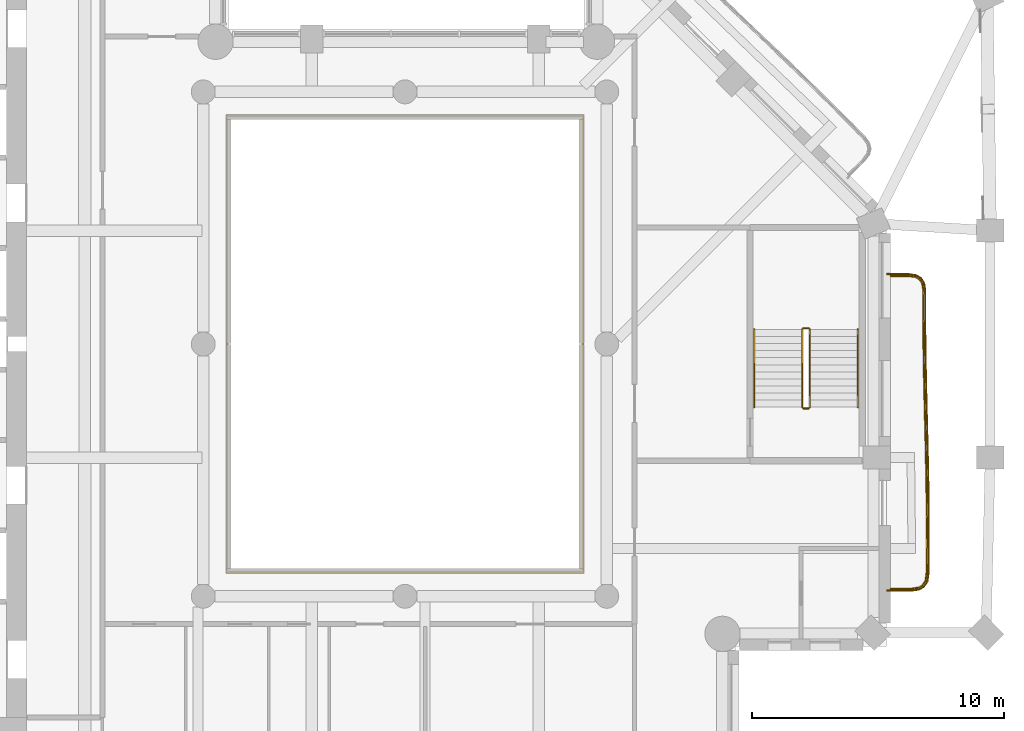
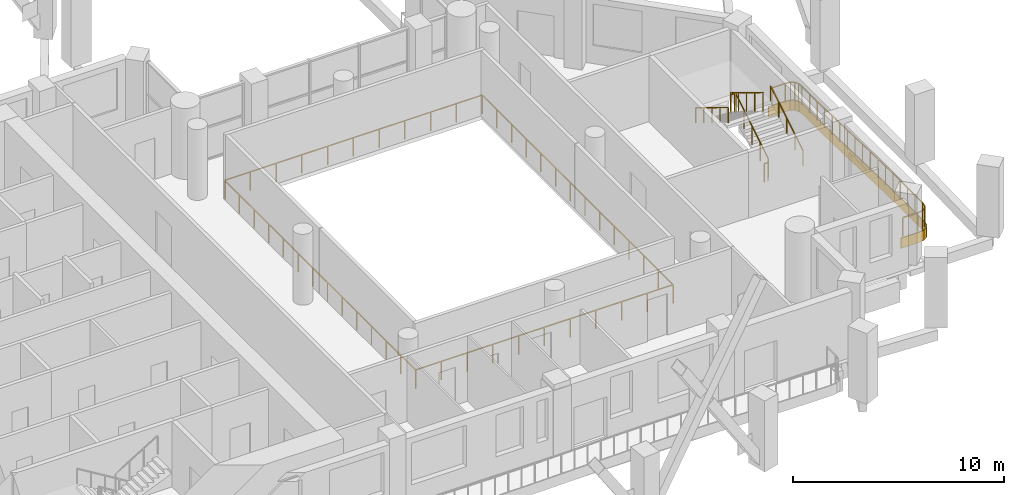
# One storey, part 13 of 15: 8 railings, 1 covering.
"""IFC4 building model written with IfcOpenShell, lengths in metres."""

from ifc_helpers import new_model, si_unit, direction, frame, origin, origin_2d, place, context, subcontext, project, spatial, polyline, rectangle, outline, extrude, material, layer, layer_set, type_object, element, save


model = new_model("IFC4")

# Units and contexts
model_context = context("Model", 3, precision=1e-05, world=origin(), true_north=direction((0.0, 1.0)))
body_context = subcontext(model_context, "Body", "Model", "MODEL_VIEW")
ifc_project = project(units=[si_unit("LENGTHUNIT", "METRE"), si_unit("AREAUNIT", "SQUARE_METRE"), si_unit("VOLUMEUNIT", "CUBIC_METRE"), si_unit("PLANEANGLEUNIT", "RADIAN"), si_unit("MASSUNIT", "GRAM", prefix="KILO")], contexts=[model_context])

# Site, building, storey
site_placement = place(None, origin())
site = spatial("IfcSite", under=ifc_project, at=site_placement, CompositionType="ELEMENT")
building_placement = place(site_placement, origin())
building = spatial("IfcBuilding", under=site, at=building_placement, Name="Cypress Arch Tower", CompositionType="ELEMENT")
storey_placement = place(building_placement, frame((0.0, 0.0, 193.300048828125)))
storey = spatial("IfcBuildingStorey", under=building, at=storey_placement, Name="L42", CompositionType="ELEMENT", Elevation=193.300048828125)

# Railing
ifc_material_1 = material(Name="Stainless steel posts and handrail, laminated glass infill", Category="steel")
railing_type_1 = type_object("IfcRailingType", Name="Atrium guard GR1100A", PredefinedType="GUARDRAIL", material=ifc_material_1)
railing_1_placement = place(storey_placement, frame((8.050048828125, -9.050048828125, 0.0)))
element("IfcRailing", 1, at=railing_1_placement, inside=storey, type_object=railing_type_1, Name="Atrium guard L42", PredefinedType="GUARDRAIL", context=body_context, shape_type="SweptSolid", body=[
    extrude(rectangle(XDim=0.050048828125, YDim=0.050048828125, at=origin_2d()), frame((0.0, 0.0, 1.0751953125), z_axis=(-1.0, 0.0, 0.0), x_axis=(0.0, -1.0, 0.0)), (0.0, 0.0, 1.0), 14.10009765625),
    extrude(rectangle(XDim=0.050048828125, YDim=0.050048828125, at=origin_2d()), frame((-14.10009765625, 0.0, 1.0751953125), z_axis=(0.0, 1.0, 0.0), x_axis=(-1.0, 0.0, 0.0)), (0.0, 0.0, 1.0), 18.10009765625),
    extrude(rectangle(XDim=0.050048828125, YDim=0.050048828125, at=origin_2d()), frame((-14.10009765625, 18.10009765625, 1.0751953125), z_axis=(1.0, 0.0, 0.0), x_axis=(0.0, 1.0, 0.0)), (0.0, 0.0, 1.0), 14.10009765625),
    extrude(rectangle(XDim=0.050048828125, YDim=0.050048828125, at=origin_2d()), frame((0.0, 18.10009765625, 1.0751953125), z_axis=(0.0, -1.0, 0.0), x_axis=(1.0, 0.0, 0.0)), (0.0, 0.0, 1.0), 18.10009765625),
    extrude(rectangle(XDim=0.050048828125, YDim=0.050048828125, at=origin_2d()), origin(), (0.0, 0.0, 1.0), 1.050048828125),
    extrude(rectangle(XDim=0.050048828125, YDim=0.050048828125, at=origin_2d()), frame((-1.409912109375, 0.0, 0.0)), (0.0, 0.0, 1.0), 1.050048828125),
    extrude(rectangle(XDim=0.050048828125, YDim=0.050048828125, at=origin_2d()), frame((-2.820068359375, 0.0, 0.0)), (0.0, 0.0, 1.0), 1.050048828125),
    extrude(rectangle(XDim=0.050048828125, YDim=0.050048828125, at=origin_2d()), frame((-4.22998046875, 0.0, 0.0)), (0.0, 0.0, 1.0), 1.050048828125),
    extrude(rectangle(XDim=0.050048828125, YDim=0.050048828125, at=origin_2d()), frame((-5.64013671875, 0.0, 0.0)), (0.0, 0.0, 1.0), 1.050048828125),
    extrude(rectangle(XDim=0.050048828125, YDim=0.050048828125, at=origin_2d()), frame((-7.050048828125, 0.0, 0.0)), (0.0, 0.0, 1.0), 1.050048828125),
    extrude(rectangle(XDim=0.050048828125, YDim=0.050048828125, at=origin_2d()), frame((-8.4599609375, 0.0, 0.0)), (0.0, 0.0, 1.0), 1.050048828125),
    extrude(rectangle(XDim=0.050048828125, YDim=0.050048828125, at=origin_2d()), frame((-9.8701171875, 0.0, 0.0)), (0.0, 0.0, 1.0), 1.050048828125),
    extrude(rectangle(XDim=0.050048828125, YDim=0.050048828125, at=origin_2d()), frame((-11.280029296875, 0.0, 0.0)), (0.0, 0.0, 1.0), 1.050048828125),
    extrude(rectangle(XDim=0.050048828125, YDim=0.050048828125, at=origin_2d()), frame((-12.690185546875, 0.0, 0.0)), (0.0, 0.0, 1.0), 1.050048828125),
    extrude(rectangle(XDim=0.050048828125, YDim=0.050048828125, at=origin_2d()), frame((-14.10009765625, 0.0, 0.0)), (0.0, 0.0, 1.0), 1.050048828125),
    extrude(rectangle(XDim=0.050048828125, YDim=0.050048828125, at=origin_2d()), frame((-14.10009765625, 1.392333984375, 0.0)), (0.0, 0.0, 1.0), 1.050048828125),
    extrude(rectangle(XDim=0.050048828125, YDim=0.050048828125, at=origin_2d()), frame((-14.10009765625, 2.78466796875, 0.0)), (0.0, 0.0, 1.0), 1.050048828125),
    extrude(rectangle(XDim=0.050048828125, YDim=0.050048828125, at=origin_2d()), frame((-14.10009765625, 4.177001953125, 0.0)), (0.0, 0.0, 1.0), 1.050048828125),
    extrude(rectangle(XDim=0.050048828125, YDim=0.050048828125, at=origin_2d()), frame((-14.10009765625, 5.5693359375, 0.0)), (0.0, 0.0, 1.0), 1.050048828125),
    extrude(rectangle(XDim=0.050048828125, YDim=0.050048828125, at=origin_2d()), frame((-14.10009765625, 6.961669921875, 0.0)), (0.0, 0.0, 1.0), 1.050048828125),
    extrude(rectangle(XDim=0.050048828125, YDim=0.050048828125, at=origin_2d()), frame((-14.10009765625, 8.35400390625, 0.0)), (0.0, 0.0, 1.0), 1.050048828125),
    extrude(rectangle(XDim=0.050048828125, YDim=0.050048828125, at=origin_2d()), frame((-14.10009765625, 9.74609375, 0.0)), (0.0, 0.0, 1.0), 1.050048828125),
    extrude(rectangle(XDim=0.050048828125, YDim=0.050048828125, at=origin_2d()), frame((-14.10009765625, 11.138427734375, 0.0)), (0.0, 0.0, 1.0), 1.050048828125),
    extrude(rectangle(XDim=0.050048828125, YDim=0.050048828125, at=origin_2d()), frame((-14.10009765625, 12.53076171875, 0.0)), (0.0, 0.0, 1.0), 1.050048828125),
    extrude(rectangle(XDim=0.050048828125, YDim=0.050048828125, at=origin_2d()), frame((-14.10009765625, 13.923095703125, 0.0)), (0.0, 0.0, 1.0), 1.050048828125),
    extrude(rectangle(XDim=0.050048828125, YDim=0.050048828125, at=origin_2d()), frame((-14.10009765625, 15.3154296875, 0.0)), (0.0, 0.0, 1.0), 1.050048828125),
    extrude(rectangle(XDim=0.050048828125, YDim=0.050048828125, at=origin_2d()), frame((-14.10009765625, 16.707763671875, 0.0)), (0.0, 0.0, 1.0), 1.050048828125),
    extrude(rectangle(XDim=0.050048828125, YDim=0.050048828125, at=origin_2d()), frame((-14.10009765625, 18.10009765625, 0.0)), (0.0, 0.0, 1.0), 1.050048828125),
    extrude(rectangle(XDim=0.050048828125, YDim=0.050048828125, at=origin_2d()), frame((-12.690185546875, 18.10009765625, 0.0)), (0.0, 0.0, 1.0), 1.050048828125),
    extrude(rectangle(XDim=0.050048828125, YDim=0.050048828125, at=origin_2d()), frame((-11.280029296875, 18.10009765625, 0.0)), (0.0, 0.0, 1.0), 1.050048828125),
    extrude(rectangle(XDim=0.050048828125, YDim=0.050048828125, at=origin_2d()), frame((-9.8701171875, 18.10009765625, 0.0)), (0.0, 0.0, 1.0), 1.050048828125),
    extrude(rectangle(XDim=0.050048828125, YDim=0.050048828125, at=origin_2d()), frame((-8.4599609375, 18.10009765625, 0.0)), (0.0, 0.0, 1.0), 1.050048828125),
    extrude(rectangle(XDim=0.050048828125, YDim=0.050048828125, at=origin_2d()), frame((-7.050048828125, 18.10009765625, 0.0)), (0.0, 0.0, 1.0), 1.050048828125),
    extrude(rectangle(XDim=0.050048828125, YDim=0.050048828125, at=origin_2d()), frame((-5.64013671875, 18.10009765625, 0.0)), (0.0, 0.0, 1.0), 1.050048828125),
    extrude(rectangle(XDim=0.050048828125, YDim=0.050048828125, at=origin_2d()), frame((-4.22998046875, 18.10009765625, 0.0)), (0.0, 0.0, 1.0), 1.050048828125),
    extrude(rectangle(XDim=0.050048828125, YDim=0.050048828125, at=origin_2d()), frame((-2.820068359375, 18.10009765625, 0.0)), (0.0, 0.0, 1.0), 1.050048828125),
    extrude(rectangle(XDim=0.050048828125, YDim=0.050048828125, at=origin_2d()), frame((-1.409912109375, 18.10009765625, 0.0)), (0.0, 0.0, 1.0), 1.050048828125),
    extrude(rectangle(XDim=0.050048828125, YDim=0.050048828125, at=origin_2d()), frame((0.0, 18.10009765625, 0.0)), (0.0, 0.0, 1.0), 1.050048828125),
    extrude(rectangle(XDim=0.050048828125, YDim=0.050048828125, at=origin_2d()), frame((0.0, 16.707763671875, 0.0)), (0.0, 0.0, 1.0), 1.050048828125),
    extrude(rectangle(XDim=0.050048828125, YDim=0.050048828125, at=origin_2d()), frame((0.0, 15.3154296875, 0.0)), (0.0, 0.0, 1.0), 1.050048828125),
    extrude(rectangle(XDim=0.050048828125, YDim=0.050048828125, at=origin_2d()), frame((0.0, 13.923095703125, 0.0)), (0.0, 0.0, 1.0), 1.050048828125),
    extrude(rectangle(XDim=0.050048828125, YDim=0.050048828125, at=origin_2d()), frame((0.0, 12.53076171875, 0.0)), (0.0, 0.0, 1.0), 1.050048828125),
    extrude(rectangle(XDim=0.050048828125, YDim=0.050048828125, at=origin_2d()), frame((0.0, 11.138427734375, 0.0)), (0.0, 0.0, 1.0), 1.050048828125),
    extrude(rectangle(XDim=0.050048828125, YDim=0.050048828125, at=origin_2d()), frame((0.0, 9.74609375, 0.0)), (0.0, 0.0, 1.0), 1.050048828125),
    extrude(rectangle(XDim=0.050048828125, YDim=0.050048828125, at=origin_2d()), frame((0.0, 8.35400390625, 0.0)), (0.0, 0.0, 1.0), 1.050048828125),
    extrude(rectangle(XDim=0.050048828125, YDim=0.050048828125, at=origin_2d()), frame((0.0, 6.961669921875, 0.0)), (0.0, 0.0, 1.0), 1.050048828125),
    extrude(rectangle(XDim=0.050048828125, YDim=0.050048828125, at=origin_2d()), frame((0.0, 5.5693359375, 0.0)), (0.0, 0.0, 1.0), 1.050048828125),
    extrude(rectangle(XDim=0.050048828125, YDim=0.050048828125, at=origin_2d()), frame((0.0, 4.177001953125, 0.0)), (0.0, 0.0, 1.0), 1.050048828125),
    extrude(rectangle(XDim=0.050048828125, YDim=0.050048828125, at=origin_2d()), frame((0.0, 2.78466796875, 0.0)), (0.0, 0.0, 1.0), 1.050048828125),
    extrude(rectangle(XDim=0.050048828125, YDim=0.050048828125, at=origin_2d()), frame((0.0, 1.392333984375, 0.0)), (0.0, 0.0, 1.0), 1.050048828125),
])

# Covering
ifc_material_2 = material(Name="White powder-coated aluminium fascia", Category="aluminium")
ifc_layer = layer(ifc_material_2, 0.050048828125)
ifc_layer_set = layer_set([ifc_layer], Name="Balcony fascia BF50")
covering_type = type_object("IfcCoveringType", Name="Balcony fascia BF50", PredefinedType="CLADDING", material=ifc_layer_set)
covering_placement = place(storey_placement, frame((0.0, 0.0, -0.60009765625)))
element("IfcCovering", 2, at=covering_placement, inside=storey, type_object=covering_type, Name="Balcony fascia L42-B04", PredefinedType="CLADDING", context=body_context, shape_type="SweptSolid", body=[
    extrude(outline(polyline([(20.9853515625, 2.800048828125), (21.272216796875, 2.759033203125), (21.486328125, 2.630126953125), (21.6142578125, 2.415283203125), (21.65380859375, 2.12841796875), (21.650146484375, 1.361083984375), (21.66015625, -0.027099609375), (21.684326171875, -1.41552734375), (21.71728515625, -2.804443359375), (21.751708984375, -4.193359375), (21.779052734375, -5.58251953125), (21.79345703125, -6.971923828125), (21.79150390625, -8.361572265625), (21.781494140625, -9.129150390625), (21.73681640625, -9.416015625), (21.60546875, -9.63037109375), (21.389404296875, -9.759033203125), (21.10205078125, -9.800048828125), (20.10107421875, -9.800048828125), (20.10107421875, -9.75), (21.098388671875, -9.75), (21.372314453125, -9.7109375), (21.569091796875, -9.59375), (21.68896484375, -9.3984375), (21.7314453125, -9.125), (21.741455078125, -8.361083984375), (21.743408203125, -6.97216796875), (21.72900390625, -5.583251953125), (21.70166015625, -4.1943359375), (21.66748046875, -2.8056640625), (21.63427734375, -1.416748046875), (21.610107421875, -0.02783203125), (21.60009765625, 1.361083984375), (21.603759765625, 2.125), (21.56591796875, 2.3984375), (21.44970703125, 2.59375), (21.255126953125, 2.7109375), (20.981689453125, 2.75), (20.10107421875, 2.75), (20.10107421875, 2.800048828125), (20.9853515625, 2.800048828125)])), origin(), (0.0, 0.0, 1.0), 0.60009765625),
])

# Railings
ifc_material_3 = material(Name="Powder-coated steel posts and rods, 100 mm clear between rods", Category="steel")
railing_type_2 = type_object("IfcRailingType", Name="Balcony guard GR1100", PredefinedType="GUARDRAIL", material=ifc_material_3)
railing_2_placement = place(storey_placement, frame((20.25, 2.699951171875, 0.0)))
element("IfcRailing", 3, at=railing_2_placement, inside=storey, type_object=railing_type_2, Name="Balcony guard L42-B04", PredefinedType="GUARDRAIL", context=body_context, shape_type="SweptSolid", body=[
    extrude(rectangle(XDim=0.050048828125, YDim=0.050048828125, at=origin_2d()), frame((0.0, 0.0, 1.0751953125), z_axis=(1.0, 0.0, 0.0), x_axis=(0.0, 1.0, 0.0)), (0.0, 0.0, 1.0), 0.728271484375),
    extrude(rectangle(XDim=0.050048828125, YDim=0.050048828125, at=origin_2d()), frame((0.728271484375, 0.0, 1.0751953125), z_axis=(0.989949493661, -0.141421356237, 0.0), x_axis=(0.141421356237, 0.989949493661, 0.0)), (0.0, 0.0, 1.0), 0.262451171875),
    extrude(rectangle(XDim=0.050048828125, YDim=0.050048828125, at=origin_2d()), frame((0.988037109375, -0.037109375, 1.0751953125), z_axis=(0.856860479703, -0.515548366618, 0.0), x_axis=(0.515548366618, 0.856860479703, 0.0)), (0.0, 0.0, 1.0), 0.20458984375),
    extrude(rectangle(XDim=0.050048828125, YDim=0.050048828125, at=origin_2d()), frame((1.163330078125, -0.142578125, 1.0751953125), z_axis=(0.510980034076, -0.859592580689, 0.0), x_axis=(0.859592580689, 0.510980034076, 0.0)), (0.0, 0.0, 1.0), 0.20458984375),
    extrude(rectangle(XDim=0.050048828125, YDim=0.050048828125, at=origin_2d()), frame((1.267822265625, -0.318359375, 1.0751953125), z_axis=(0.136731822322, -0.990608100494, 0.0), x_axis=(0.990608100494, 0.136731822322, 0.0)), (0.0, 0.0, 1.0), 0.262451171875),
    extrude(rectangle(XDim=0.050048828125, YDim=0.050048828125, at=origin_2d()), frame((1.3037109375, -0.578369140625, 1.0751953125), z_axis=(-0.004815353481, -0.999988406118, 0.0), x_axis=(0.999988406118, -0.004815353481, 0.0)), (0.0, 0.0, 1.0), 0.760498046875),
    extrude(rectangle(XDim=0.050048828125, YDim=0.050048828125, at=origin_2d()), frame((1.300048828125, -1.3388671875, 1.0751953125), z_axis=(0.007204170802, -0.999974049625, 0.0), x_axis=(0.999974049625, 0.007204170802, 0.0)), (0.0, 0.0, 1.0), 1.389404296875),
    extrude(rectangle(XDim=0.050048828125, YDim=0.050048828125, at=origin_2d()), frame((1.31005859375, -2.728271484375, 1.0751953125), z_axis=(0.0175688922, -0.999845655102, 0.0), x_axis=(0.999845655102, 0.0175688922, 0.0)), (0.0, 0.0, 1.0), 1.3896484375),
    extrude(rectangle(XDim=0.050048828125, YDim=0.050048828125, at=origin_2d()), frame((1.33447265625, -4.11767578125, 1.0751953125), z_axis=(0.023719159799, -0.999718661153, 0.0), x_axis=(0.999718661153, 0.023719159799, 0.0)), (0.0, 0.0, 1.0), 1.3896484375),
    extrude(rectangle(XDim=0.050048828125, YDim=0.050048828125, at=origin_2d()), frame((1.367431640625, -5.5068359375, 1.0751953125), z_axis=(0.024605768726, -0.999697232239, 0.0), x_axis=(0.999697232239, 0.024605768726, 0.0)), (0.0, 0.0, 1.0), 1.38916015625),
    extrude(rectangle(XDim=0.050048828125, YDim=0.050048828125, at=origin_2d()), frame((1.401611328125, -6.8955078125, 1.0751953125), z_axis=(0.01969022093, -0.999806128807, 0.0), x_axis=(0.999806128807, 0.01969022093, 0.0)), (0.0, 0.0, 1.0), 1.388671875),
    extrude(rectangle(XDim=0.050048828125, YDim=0.050048828125, at=origin_2d()), frame((1.428955078125, -8.283935546875, 1.0751953125), z_axis=(0.010373980155, -0.99994618882, 0.0), x_axis=(0.99994618882, 0.010373980155, 0.0)), (0.0, 0.0, 1.0), 1.388427734375),
    extrude(rectangle(XDim=0.050048828125, YDim=0.050048828125, at=origin_2d()), frame((1.443359375, -9.67236328125, 1.0751953125), z_axis=(-0.001406715682, -0.999999010575, 0.0), x_axis=(0.999999010575, -0.001406715682, 0.0)), (0.0, 0.0, 1.0), 1.388427734375),
    extrude(rectangle(XDim=0.050048828125, YDim=0.050048828125, at=origin_2d()), frame((1.44140625, -11.060791015625, 1.0751953125), z_axis=(-0.012848280854, -0.999917457433, 0.0), x_axis=(0.999917457433, -0.012848280854, 0.0)), (0.0, 0.0, 1.0), 0.760009765625),
    extrude(rectangle(XDim=0.050048828125, YDim=0.050048828125, at=origin_2d()), frame((1.431640625, -11.82080078125, 1.0751953125), z_axis=(-0.154008947612, -0.988069453052, 0.0), x_axis=(0.988069453052, -0.154008947612, 0.0)), (0.0, 0.0, 1.0), 0.26318359375),
    extrude(rectangle(XDim=0.050048828125, YDim=0.050048828125, at=origin_2d()), frame((1.39111328125, -12.080810546875, 1.0751953125), z_axis=(-0.522977237269, -0.852346648552, 0.0), x_axis=(0.852346648552, -0.522977237269, 0.0)), (0.0, 0.0, 1.0), 0.206787109375),
    extrude(rectangle(XDim=0.050048828125, YDim=0.050048828125, at=origin_2d()), frame((1.282958984375, -12.257080078125, 1.0751953125), z_axis=(-0.859156817792, -0.511712382536, 0.0), x_axis=(0.511712382536, -0.859156817792, 0.0)), (0.0, 0.0, 1.0), 0.20654296875),
    extrude(rectangle(XDim=0.050048828125, YDim=0.050048828125, at=origin_2d()), frame((1.10546875, -12.36279296875, 1.0751953125), z_axis=(-0.990005087349, -0.141031652556, 0.0), x_axis=(0.141031652556, -0.990005087349, 0.0)), (0.0, 0.0, 1.0), 0.26318359375),
    extrude(rectangle(XDim=0.050048828125, YDim=0.050048828125, at=origin_2d()), frame((0.844970703125, -12.39990234375, 1.0751953125), z_axis=(-1.0, 0.0, 0.0), x_axis=(0.0, -1.0, 0.0)), (0.0, 0.0, 1.0), 0.844970703125),
    extrude(rectangle(XDim=0.0400390625, YDim=0.0400390625, at=origin_2d()), origin(), (0.0, 0.0, 1.0), 1.050048828125),
    extrude(rectangle(XDim=0.0400390625, YDim=0.0400390625, at=origin_2d()), frame((0.728271484375, 0.0, 0.0)), (0.0, 0.0, 1.0), 1.050048828125),
    extrude(rectangle(XDim=0.0400390625, YDim=0.0400390625, at=origin_2d()), frame((0.988037109375, -0.037109375, 0.0)), (0.0, 0.0, 1.0), 1.050048828125),
    extrude(rectangle(XDim=0.0400390625, YDim=0.0400390625, at=origin_2d()), frame((1.163330078125, -0.142578125, 0.0)), (0.0, 0.0, 1.0), 1.050048828125),
    extrude(rectangle(XDim=0.0400390625, YDim=0.0400390625, at=origin_2d()), frame((1.267822265625, -0.318359375, 0.0)), (0.0, 0.0, 1.0), 1.050048828125),
    extrude(rectangle(XDim=0.0400390625, YDim=0.0400390625, at=origin_2d()), frame((1.3037109375, -0.578369140625, 0.0)), (0.0, 0.0, 1.0), 1.050048828125),
    extrude(rectangle(XDim=0.0400390625, YDim=0.0400390625, at=origin_2d()), frame((1.300048828125, -1.3388671875, 0.0)), (0.0, 0.0, 1.0), 1.050048828125),
    extrude(rectangle(XDim=0.0400390625, YDim=0.0400390625, at=origin_2d()), frame((1.30517578125, -2.03369140625, 0.0)), (0.0, 0.0, 1.0), 1.050048828125),
    extrude(rectangle(XDim=0.0400390625, YDim=0.0400390625, at=origin_2d()), frame((1.31005859375, -2.728271484375, 0.0)), (0.0, 0.0, 1.0), 1.050048828125),
    extrude(rectangle(XDim=0.0400390625, YDim=0.0400390625, at=origin_2d()), frame((1.322265625, -3.4228515625, 0.0)), (0.0, 0.0, 1.0), 1.050048828125),
    extrude(rectangle(XDim=0.0400390625, YDim=0.0400390625, at=origin_2d()), frame((1.33447265625, -4.11767578125, 0.0)), (0.0, 0.0, 1.0), 1.050048828125),
    extrude(rectangle(XDim=0.0400390625, YDim=0.0400390625, at=origin_2d()), frame((1.35107421875, -4.812255859375, 0.0)), (0.0, 0.0, 1.0), 1.050048828125),
    extrude(rectangle(XDim=0.0400390625, YDim=0.0400390625, at=origin_2d()), frame((1.367431640625, -5.5068359375, 0.0)), (0.0, 0.0, 1.0), 1.050048828125),
    extrude(rectangle(XDim=0.0400390625, YDim=0.0400390625, at=origin_2d()), frame((1.384521484375, -6.201171875, 0.0)), (0.0, 0.0, 1.0), 1.050048828125),
    extrude(rectangle(XDim=0.0400390625, YDim=0.0400390625, at=origin_2d()), frame((1.401611328125, -6.8955078125, 0.0)), (0.0, 0.0, 1.0), 1.050048828125),
    extrude(rectangle(XDim=0.0400390625, YDim=0.0400390625, at=origin_2d()), frame((1.415283203125, -7.58984375, 0.0)), (0.0, 0.0, 1.0), 1.050048828125),
    extrude(rectangle(XDim=0.0400390625, YDim=0.0400390625, at=origin_2d()), frame((1.428955078125, -8.283935546875, 0.0)), (0.0, 0.0, 1.0), 1.050048828125),
    extrude(rectangle(XDim=0.0400390625, YDim=0.0400390625, at=origin_2d()), frame((1.43603515625, -8.97802734375, 0.0)), (0.0, 0.0, 1.0), 1.050048828125),
    extrude(rectangle(XDim=0.0400390625, YDim=0.0400390625, at=origin_2d()), frame((1.443359375, -9.67236328125, 0.0)), (0.0, 0.0, 1.0), 1.050048828125),
    extrude(rectangle(XDim=0.0400390625, YDim=0.0400390625, at=origin_2d()), frame((1.4423828125, -10.36669921875, 0.0)), (0.0, 0.0, 1.0), 1.050048828125),
    extrude(rectangle(XDim=0.0400390625, YDim=0.0400390625, at=origin_2d()), frame((1.44140625, -11.060791015625, 0.0)), (0.0, 0.0, 1.0), 1.050048828125),
    extrude(rectangle(XDim=0.0400390625, YDim=0.0400390625, at=origin_2d()), frame((1.431640625, -11.82080078125, 0.0)), (0.0, 0.0, 1.0), 1.050048828125),
    extrude(rectangle(XDim=0.0400390625, YDim=0.0400390625, at=origin_2d()), frame((1.39111328125, -12.080810546875, 0.0)), (0.0, 0.0, 1.0), 1.050048828125),
    extrude(rectangle(XDim=0.0400390625, YDim=0.0400390625, at=origin_2d()), frame((1.282958984375, -12.257080078125, 0.0)), (0.0, 0.0, 1.0), 1.050048828125),
    extrude(rectangle(XDim=0.0400390625, YDim=0.0400390625, at=origin_2d()), frame((1.10546875, -12.36279296875, 0.0)), (0.0, 0.0, 1.0), 1.050048828125),
    extrude(rectangle(XDim=0.0400390625, YDim=0.0400390625, at=origin_2d()), frame((0.844970703125, -12.39990234375, 0.0)), (0.0, 0.0, 1.0), 1.050048828125),
    extrude(rectangle(XDim=0.0400390625, YDim=0.0400390625, at=origin_2d()), frame((0.0, -12.39990234375, 0.0)), (0.0, 0.0, 1.0), 1.050048828125),
])
ifc_material_4 = material(Name="Black powder-coated steel square bar 48 mm", Category="steel")
railing_type_3 = type_object("IfcRailingType", Name="Stair handrail HR1", PredefinedType="HANDRAIL", material=ifc_material_4)
railing_3_placement = place(storey_placement, frame((18.949951171875, -2.5, 0.1708984375)))
element("IfcRailing", 4, at=railing_3_placement, inside=storey, type_object=railing_type_3, Name="L42 C stair handrail 1", PredefinedType="HANDRAIL", context=body_context, shape_type="SweptSolid", body=[
    extrude(rectangle(XDim=0.048095703125, YDim=0.048095703125, at=origin_2d()), frame((0.0, 0.0, 0.8759765625), z_axis=(0.0, 0.853666305674, 0.52082035152), x_axis=(-1.0, 0.0, 0.0)), (0.0, 0.0, 1.0), 3.608154296875),
    extrude(rectangle(XDim=0.0419921875, YDim=0.0419921875, at=origin_2d()), origin(), (0.0, 0.0, 1.0), 0.851806640625),
    extrude(rectangle(XDim=0.0419921875, YDim=0.0419921875, at=origin_2d()), frame((0.0, 0.77001953125, 0.4697265625)), (0.0, 0.0, 1.0), 0.851806640625),
    extrude(rectangle(XDim=0.0419921875, YDim=0.0419921875, at=origin_2d()), frame((0.0, 1.5400390625, 0.939453125)), (0.0, 0.0, 1.0), 0.851806640625),
    extrude(rectangle(XDim=0.0419921875, YDim=0.0419921875, at=origin_2d()), frame((0.0, 2.31005859375, 1.409423828125)), (0.0, 0.0, 1.0), 0.851806640625),
    extrude(rectangle(XDim=0.0419921875, YDim=0.0419921875, at=origin_2d()), frame((0.0, 3.080078125, 1.879150390625)), (0.0, 0.0, 1.0), 0.851806640625),
])
railing_4_placement = place(storey_placement, frame((14.85009765625, 0.580078125, 2.220703125)))
element("IfcRailing", 5, at=railing_4_placement, inside=storey, type_object=railing_type_3, Name="L42 C stair handrail 2", PredefinedType="HANDRAIL", context=body_context, shape_type="SweptSolid", body=[
    extrude(rectangle(XDim=0.048095703125, YDim=0.048095703125, at=origin_2d()), frame((0.0, 0.0, 0.8759765625), z_axis=(0.0, -0.853666305674, 0.52082035152), x_axis=(1.0, 0.0, 0.0)), (0.0, 0.0, 1.0), 3.608154296875),
    extrude(rectangle(XDim=0.0419921875, YDim=0.0419921875, at=origin_2d()), origin(), (0.0, 0.0, 1.0), 0.851806640625),
    extrude(rectangle(XDim=0.0419921875, YDim=0.0419921875, at=origin_2d()), frame((0.0, -0.77001953125, 0.4697265625)), (0.0, 0.0, 1.0), 0.851806640625),
    extrude(rectangle(XDim=0.0419921875, YDim=0.0419921875, at=origin_2d()), frame((0.0, -1.5400390625, 0.939453125)), (0.0, 0.0, 1.0), 0.851806640625),
    extrude(rectangle(XDim=0.0419921875, YDim=0.0419921875, at=origin_2d()), frame((0.0, -2.31005859375, 1.409423828125)), (0.0, 0.0, 1.0), 0.851806640625),
    extrude(rectangle(XDim=0.0419921875, YDim=0.0419921875, at=origin_2d()), frame((0.0, -3.080078125, 1.879150390625)), (0.0, 0.0, 1.0), 0.851806640625),
])
ifc_material_5 = material(Name="Black powder-coated steel balusters", Category="steel")
railing_type_4 = type_object("IfcRailingType", Name="Stair well guard G1", PredefinedType="GUARDRAIL", material=ifc_material_5)
railing_5_placement = place(storey_placement, frame((17.050048828125, -2.5, 0.1708984375)))
element("IfcRailing", 6, at=railing_5_placement, inside=storey, type_object=railing_type_4, Name="L42 C stair guard 1", PredefinedType="GUARDRAIL", context=body_context, shape_type="SweptSolid", body=[
    extrude(rectangle(XDim=0.048095703125, YDim=0.048095703125, at=origin_2d()), frame((0.0, 0.0, 1.076171875), z_axis=(0.0, 0.853666305674, 0.52082035152), x_axis=(-1.0, 0.0, 0.0)), (0.0, 0.0, 1.0), 3.608154296875),
    extrude(rectangle(XDim=0.0419921875, YDim=0.0419921875, at=origin_2d()), origin(), (0.0, 0.0, 1.0), 1.052001953125),
    extrude(rectangle(XDim=0.0419921875, YDim=0.0419921875, at=origin_2d()), frame((0.0, 0.77001953125, 0.4697265625)), (0.0, 0.0, 1.0), 1.052001953125),
    extrude(rectangle(XDim=0.0419921875, YDim=0.0419921875, at=origin_2d()), frame((0.0, 1.5400390625, 0.939453125)), (0.0, 0.0, 1.0), 1.052001953125),
    extrude(rectangle(XDim=0.0419921875, YDim=0.0419921875, at=origin_2d()), frame((0.0, 2.31005859375, 1.409423828125)), (0.0, 0.0, 1.0), 1.052001953125),
    extrude(rectangle(XDim=0.0419921875, YDim=0.0419921875, at=origin_2d()), frame((0.0, 3.080078125, 1.879150390625)), (0.0, 0.0, 1.0), 1.052001953125),
])
railing_6_placement = place(storey_placement, frame((17.0, 0.6298828125, 2.050048828125)))
element("IfcRailing", 7, at=railing_6_placement, inside=storey, type_object=railing_type_4, Name="L42 C stair guard 2", PredefinedType="GUARDRAIL", context=body_context, shape_type="SweptSolid", body=[
    extrude(rectangle(XDim=0.048095703125, YDim=0.048095703125, at=origin_2d()), frame((0.0, 0.0, 1.076171875), z_axis=(-1.0, 0.0, 0.0), x_axis=(0.0, -1.0, 0.0)), (0.0, 0.0, 1.0), 0.199951171875),
    extrude(rectangle(XDim=0.0419921875, YDim=0.0419921875, at=origin_2d()), origin(), (0.0, 0.0, 1.0), 1.052001953125),
    extrude(rectangle(XDim=0.0419921875, YDim=0.0419921875, at=origin_2d()), frame((-0.199951171875, 0.0, 0.0)), (0.0, 0.0, 1.0), 1.052001953125),
])
railing_7_placement = place(storey_placement, frame((16.75, 0.580078125, 2.220703125)))
element("IfcRailing", 8, at=railing_7_placement, inside=storey, type_object=railing_type_4, Name="L42 C stair guard 3", PredefinedType="GUARDRAIL", context=body_context, shape_type="SweptSolid", body=[
    extrude(rectangle(XDim=0.048095703125, YDim=0.048095703125, at=origin_2d()), frame((0.0, 0.0, 1.076171875), z_axis=(0.0, -0.853666305674, 0.52082035152), x_axis=(1.0, 0.0, 0.0)), (0.0, 0.0, 1.0), 3.608154296875),
    extrude(rectangle(XDim=0.0419921875, YDim=0.0419921875, at=origin_2d()), origin(), (0.0, 0.0, 1.0), 1.052001953125),
    extrude(rectangle(XDim=0.0419921875, YDim=0.0419921875, at=origin_2d()), frame((0.0, -0.77001953125, 0.4697265625)), (0.0, 0.0, 1.0), 1.052001953125),
    extrude(rectangle(XDim=0.0419921875, YDim=0.0419921875, at=origin_2d()), frame((0.0, -1.5400390625, 0.939453125)), (0.0, 0.0, 1.0), 1.052001953125),
    extrude(rectangle(XDim=0.0419921875, YDim=0.0419921875, at=origin_2d()), frame((0.0, -2.31005859375, 1.409423828125)), (0.0, 0.0, 1.0), 1.052001953125),
    extrude(rectangle(XDim=0.0419921875, YDim=0.0419921875, at=origin_2d()), frame((0.0, -3.080078125, 1.879150390625)), (0.0, 0.0, 1.0), 1.052001953125),
])
railing_8_placement = place(storey_placement, frame((17.0, -2.550048828125, 0.0)))
element("IfcRailing", 9, at=railing_8_placement, inside=storey, type_object=railing_type_4, Name="L42 C stair guard 4", PredefinedType="GUARDRAIL", context=body_context, shape_type="SweptSolid", body=[
    extrude(rectangle(XDim=0.048095703125, YDim=0.048095703125, at=origin_2d()), frame((0.0, 0.0, 1.076171875), z_axis=(-1.0, 0.0, 0.0), x_axis=(0.0, -1.0, 0.0)), (0.0, 0.0, 1.0), 0.199951171875),
    extrude(rectangle(XDim=0.0419921875, YDim=0.0419921875, at=origin_2d()), origin(), (0.0, 0.0, 1.0), 1.052001953125),
    extrude(rectangle(XDim=0.0419921875, YDim=0.0419921875, at=origin_2d()), frame((-0.199951171875, 0.0, 0.0)), (0.0, 0.0, 1.0), 1.052001953125),
])

save(model, "model.ifc")
